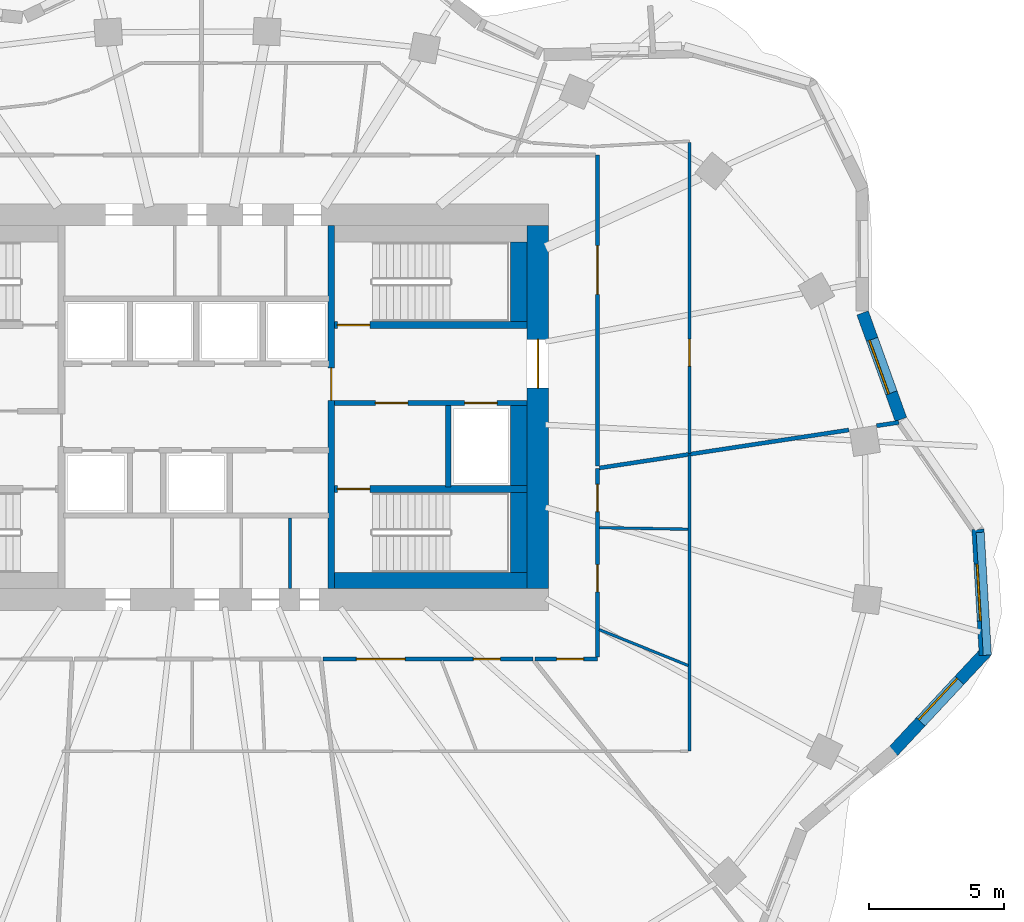
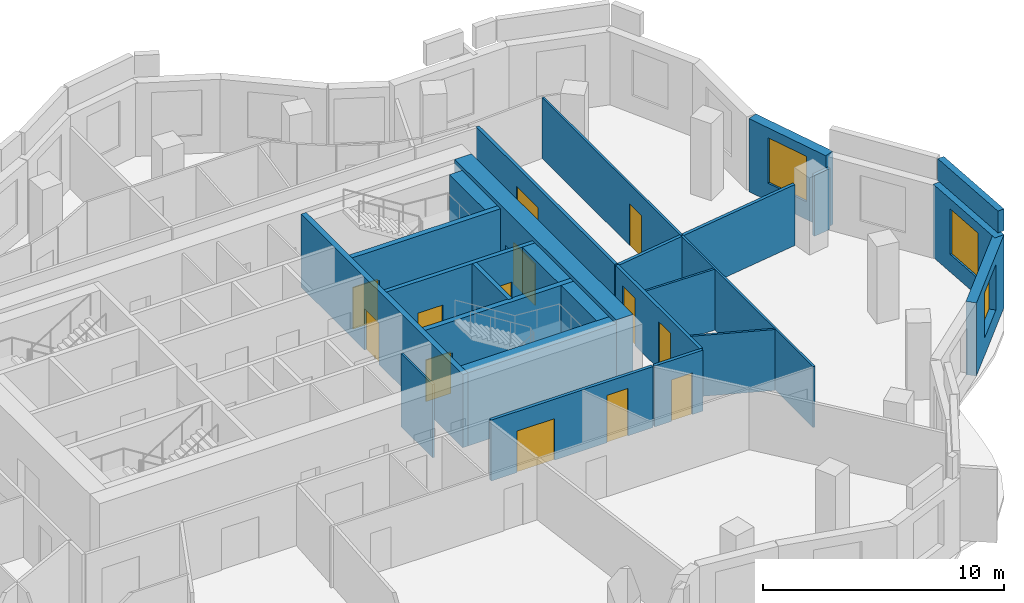
# One storey, part 8 of 13: 25 walls, 13 doors, 3 windows, 16 openings.
"""IFC4 building model written with IfcOpenShell, lengths in metres."""

import ifcopenshell
import ifcopenshell.guid

model = None  # the IFC model being written
_history = None  # IfcOwnerHistory: only IFC2X3 demands one
_inside = {}  # id of a spatial element -> (the spatial element, [elements in it])
_under = {}  # id of a project, library or spatial element -> (it, [spatial elements below it])
_declared = {}  # id of a project -> (the project, [libraries it declares])
_typed = {}  # id of a type object -> (the type object, [elements of that type])
_made_of = {}  # id of a material, layer set ... -> (it, [elements and type objects made of it])


def new_model(schema):
    """Start an empty IFC model of exactly this schema.

    Asked for "IFC4X3", IfcOpenShell would pick the latest addendum, in which some entities
    have other attributes; the version numbers below select the first issue.
    IFC2X3 requires an IfcOwnerHistory on every rooted entity: one is made here for all.
    """
    global model, _history
    if schema == "IFC4X3":
        model = ifcopenshell.file(schema_version=(4, 3, 0, 0))
    else:
        model = ifcopenshell.file(schema=schema)
    _inside.clear()
    _under.clear()
    _declared.clear()
    _typed.clear()
    _made_of.clear()
    _history = None
    if model.schema == "IFC2X3":
        org = make("IfcOrganization", Name="unknown")
        user = make(
            "IfcPersonAndOrganization",
            ThePerson=make("IfcPerson", FamilyName="unknown"),
            TheOrganization=org,
        )
        app = make(
            "IfcApplication",
            ApplicationDeveloper=org,
            Version="unknown",
            ApplicationFullName="unknown",
            ApplicationIdentifier="unknown",
        )
        _history = make(
            "IfcOwnerHistory",
            OwningUser=user,
            OwningApplication=app,
            ChangeAction="ADDED",
            CreationDate=0,
        )
    return model


def make(cls, **values):
    """One entity of the class cls with the attributes given. An attribute that is None is left unset."""
    return model.create_entity(
        cls, **{name: value for name, value in values.items() if value is not None}
    )


def rooted(cls, **values):
    """An entity with a GlobalId (a new one), such as an element, a storey or a relation."""
    return make(cls, GlobalId=ifcopenshell.guid.new(), OwnerHistory=_history, **values)


def si_unit(unit_type, name, prefix=None):
    """IfcSIUnit, for example si_unit("LENGTHUNIT", "METRE", prefix="MILLI")."""
    return make("IfcSIUnit", UnitType=unit_type, Prefix=prefix, Name=name)


def assignment(units):
    """IfcUnitAssignment: the units of a project."""
    return None if units is None else make("IfcUnitAssignment", Units=units)


def point(xyz):
    """IfcCartesianPoint."""
    return None if xyz is None else make("IfcCartesianPoint", Coordinates=xyz)


def direction(xyz):
    """IfcDirection."""
    return None if xyz is None else make("IfcDirection", DirectionRatios=xyz)


def frame(location, z_axis=None, x_axis=None):
    """IfcAxis2Placement3D, a coordinate frame: its origin and axes. An axis left out is left unset."""
    return make(
        "IfcAxis2Placement3D",
        Location=point(location),
        Axis=direction(z_axis),
        RefDirection=direction(x_axis),
    )


def frame_2d(location, x_axis=None):
    """IfcAxis2Placement2D, a coordinate frame in the plane: its origin and x axis."""
    return make(
        "IfcAxis2Placement2D", Location=point(location), RefDirection=direction(x_axis)
    )


def origin():
    """The frame at (0, 0, 0) with its axes left unset."""
    return frame((0.0, 0.0, 0.0))


def place(relative_to, where):
    """IfcLocalPlacement: puts the frame where relative to a parent placement (None: the world)."""
    return make(
        "IfcLocalPlacement", PlacementRelTo=relative_to, RelativePlacement=where
    )


def context(
    kind, dimensions, precision=None, world=None, true_north=None, identifier=None
):
    """IfcGeometricRepresentationContext, for example the 3D "Model" context."""
    return make(
        "IfcGeometricRepresentationContext",
        ContextIdentifier=identifier,
        ContextType=kind,
        CoordinateSpaceDimension=dimensions,
        Precision=precision,
        WorldCoordinateSystem=world,
        TrueNorth=true_north,
    )


def subcontext(parent, identifier, kind, view, scale=None):
    """IfcGeometricRepresentationSubContext, for example "Body" below "Model"."""
    return make(
        "IfcGeometricRepresentationSubContext",
        ContextIdentifier=identifier,
        ContextType=kind,
        ParentContext=parent,
        TargetScale=scale,
        TargetView=view,
    )


def project(units=None, contexts=None):
    """IfcProject with its units and contexts."""
    return rooted(
        "IfcProject",
        Name="project",
        RepresentationContexts=contexts,
        UnitsInContext=assignment(units),
    )


def spatial(cls, under=None, at=None, **own):
    """A site, building, storey or space (cls), placed at a placement, below another one or the project."""
    s = rooted(cls, ObjectPlacement=at, **own)
    if under is not None:
        _under.setdefault(under.id(), (under, []))[1].append(s)
    return s


def profile(cls, at=None, kind="AREA", **sizes):
    """A parametric profile (cls). Its sizes go by their IFC names, for example OverallWidth=200.0."""
    return make(cls, ProfileType=kind, Position=at, **sizes)


def rectangle(**sizes):
    """IfcRectangleProfileDef."""
    return profile("IfcRectangleProfileDef", **sizes)


def extrude(swept, where, along, depth):
    """IfcExtrudedAreaSolid: the profile swept, set in the frame where, extruded along a direction by depth."""
    return make(
        "IfcExtrudedAreaSolid",
        SweptArea=swept,
        Position=where,
        ExtrudedDirection=direction(along),
        Depth=depth,
    )


def shape(context_of_items, identifier, shape_type, items):
    """IfcShapeRepresentation: the items that make up one representation, for example the "Body"."""
    return make(
        "IfcShapeRepresentation",
        ContextOfItems=context_of_items,
        RepresentationIdentifier=identifier,
        RepresentationType=shape_type,
        Items=items,
    )


def material(Name=None, Category=None):
    """IfcMaterial."""
    return make("IfcMaterial", Name=Name, Category=Category)


def layer(
    of_material, thickness, ventilated=None, Name=None, Category=None, Priority=None
):
    """IfcMaterialLayer: one layer of a wall or slab, of a material (None: an air gap)."""
    return make(
        "IfcMaterialLayer",
        Material=of_material,
        LayerThickness=thickness,
        IsVentilated=ventilated,
        Name=Name,
        Category=Category,
        Priority=Priority,
    )


def layer_set(layers, Name=None):
    """IfcMaterialLayerSet."""
    return make("IfcMaterialLayerSet", MaterialLayers=layers, LayerSetName=Name)


def made_of(thing, what):
    """Note that an element or type object is made of a material, layer set ...; save() writes the relation."""
    if what is not None:
        _made_of.setdefault(what.id(), (what, []))[1].append(thing)
    return thing


def type_object(cls, material=None, **own):
    """A type object (cls), such as IfcWallType, which elements share."""
    return made_of(rooted(cls, **own), material)


def element(
    cls,
    number,
    at=None,
    inside=None,
    cuts=None,
    type_object=None,
    material=None,
    context=None,
    identifier="Body",
    shape_type=None,
    held_by="IfcProductDefinitionShape",
    body=None,
    shapes=None,
    **own,
):
    """One element of the class cls, such as IfcWall. Its Tag is "e" and its number.

    at: its placement. inside: the storey or other place that contains it. cuts: it is an
    opening in that element (IfcRelVoidsElement). A single representation is given by context,
    identifier, shape_type and body (its items); several are given by shapes. held_by: the class
    of the entity that holds the representations. save() writes the other relations.
    """
    e = rooted(cls, Tag="e%d" % number, ObjectPlacement=at, **own)
    if body is not None:
        shapes = [shape(context, identifier, shape_type, body)]
    if shapes is not None:
        e.Representation = make(held_by, Representations=shapes)
    if inside is not None:
        _inside.setdefault(inside.id(), (inside, []))[1].append(e)
    if cuts is not None:
        rooted(
            "IfcRelVoidsElement", RelatingBuildingElement=cuts, RelatedOpeningElement=e
        )
    if type_object is not None:
        _typed.setdefault(type_object.id(), (type_object, []))[1].append(e)
    return made_of(e, material)


def fill(opening, filler):
    """IfcRelFillsElement: the door or window that sits in an opening."""
    return rooted(
        "IfcRelFillsElement",
        RelatingOpeningElement=opening,
        RelatedBuildingElement=filler,
    )


def aggregate(whole, parts):
    """IfcRelAggregates: a whole, such as a stair, and the parts it consists of."""
    return rooted("IfcRelAggregates", RelatingObject=whole, RelatedObjects=parts)


def save(model, path):
    """Write the relations noted so far, then the file.

    IfcRelAggregates (storeys below a building ...), IfcRelContainedInSpatialStructure (elements
    in a storey), IfcRelDefinesByType, IfcRelAssociatesMaterial and IfcRelDeclares: one each for
    every whole, place, type object, material and project.
    """
    for whole, parts in _under.values():
        aggregate(whole, parts)
    for where, things in _inside.values():
        rooted(
            "IfcRelContainedInSpatialStructure",
            RelatedElements=things,
            RelatingStructure=where,
        )
    for kind, things in _typed.values():
        rooted("IfcRelDefinesByType", RelatedObjects=things, RelatingType=kind)
    for what, things in _made_of.values():
        rooted("IfcRelAssociatesMaterial", RelatedObjects=things, RelatingMaterial=what)
    for by, libraries in _declared.values():
        rooted("IfcRelDeclares", RelatingContext=by, RelatedDefinitions=libraries)
    model.write(path)


model = new_model("IFC4")

# Units and contexts
model_context = context("Model", 3, precision=1e-05, world=origin(), true_north=direction((0.0, 1.0)))
body_context = subcontext(model_context, "Body", "Model", "MODEL_VIEW")
ifc_project = project(units=[si_unit("LENGTHUNIT", "METRE"), si_unit("AREAUNIT", "SQUARE_METRE"), si_unit("VOLUMEUNIT", "CUBIC_METRE"), si_unit("PLANEANGLEUNIT", "RADIAN"), si_unit("MASSUNIT", "GRAM", prefix="KILO")], contexts=[model_context])

# Site, building, storey
site_placement = place(None, origin())
site = spatial("IfcSite", under=ifc_project, at=site_placement, CompositionType="ELEMENT")
building_placement = place(site_placement, origin())
building = spatial("IfcBuilding", under=site, at=building_placement, Name="Rubra Terraces Tower", CompositionType="ELEMENT")
storey_placement = place(building_placement, frame((0.0, 0.0, 252.60009765625)))
storey = spatial("IfcBuildingStorey", under=building, at=storey_placement, Name="L62", CompositionType="ELEMENT", Elevation=252.60009765625)

# Wall, opening, window
ifc_material_1 = material(Name="Brick masonry red-brown", Category="masonry")
ifc_layer_1 = layer(ifc_material_1, 0.449951171875)
ifc_layer_set_1 = layer_set([ifc_layer_1], Name="Brick masonry red-brown")
wall_type_1 = type_object("IfcWallType", Name="Brick facade wall 450", PredefinedType="SOLIDWALL", material=ifc_layer_set_1)
wall_1_placement = place(storey_placement, frame((25.99951171875, 4.047119140625, 0.0), z_axis=(0.0, 0.0, 1.0), x_axis=(-0.338924456066, 0.940813591037, 0.0)))
wall_1 = element("IfcWall", 1, at=wall_1_placement, inside=storey, type_object=wall_type_1, Name="Facade wall L62 bay 2", PredefinedType="SOLIDWALL", context=body_context, shape_type="SweptSolid", body=[
    extrude(rectangle(XDim=4.175048828125, YDim=0.449951171875, at=frame_2d((2.08740234375, 0.0))), origin(), (0.0, 0.0, 1.0), 3.699951171875),
])
opening_1_placement = place(wall_1_placement, frame((1.03759765625, 0.0, 0.89990234375)))
opening_1 = element("IfcOpeningElement", 2, at=opening_1_placement, cuts=wall_1, Name="Opening W1B", PredefinedType="OPENING", context=body_context, shape_type="SweptSolid", body=[
    extrude(rectangle(XDim=2.10009765625, YDim=2.300048828125, at=frame_2d((1.050048828125, 1.14990234375))), frame((0.0, 0.23486328125, 0.0), z_axis=(0.0, -1.0, 0.0), x_axis=(1.0, 0.0, 0.0)), (0.0, 0.0, 1.0), 0.469970703125),
])
ifc_material_2 = material(Name="Clear glass in aluminium frame", Category="aluminium")
window_type = type_object("IfcWindowType", Name="Fixed deep-set window tall storey 2100 x 2300", PartitioningType="SINGLE_PANEL", PredefinedType="WINDOW", material=ifc_material_2)
window_1_placement = place(opening_1_placement, origin())
window_1 = element("IfcWindow", 3, at=window_1_placement, inside=storey, type_object=window_type, Name="Window L62 bay 2", OverallHeight=2.300048828125, OverallWidth=2.10009765625, PartitioningType="SINGLE_PANEL", PredefinedType="WINDOW", context=body_context, shape_type="SweptSolid", body=[
    extrude(rectangle(XDim=2.10009765625, YDim=2.300048828125, at=frame_2d((1.050048828125, 1.14990234375))), frame((0.0, 0.135009765625, 0.0), z_axis=(0.0, -1.0, 0.0), x_axis=(1.0, 0.0, 0.0)), (0.0, 0.0, 1.0), 0.06005859375),
])
fill(opening_1, window_1)

wall_2_placement = place(storey_placement, frame((25.716796875, -8.20068359375, 0.0), z_axis=(0.0, 0.0, 1.0), x_axis=(0.681990073025, 0.731361429319, 0.0)))
wall_2 = element("IfcWall", 4, at=wall_2_placement, inside=storey, type_object=wall_type_1, Name="Facade wall L62 bay 39", PredefinedType="SOLIDWALL", context=body_context, shape_type="SweptSolid", body=[
    extrude(rectangle(XDim=5.063720703125, YDim=0.449951171875, at=frame_2d((2.53173828125, 0.0))), origin(), (0.0, 0.0, 1.0), 3.699951171875),
])
opening_2_placement = place(wall_2_placement, frame((1.481689453125, 0.0, 0.89990234375)))
opening_2 = element("IfcOpeningElement", 5, at=opening_2_placement, cuts=wall_2, Name="Opening W1B", PredefinedType="OPENING", context=body_context, shape_type="SweptSolid", body=[
    extrude(rectangle(XDim=2.10009765625, YDim=2.300048828125, at=frame_2d((1.050048828125, 1.14990234375))), frame((0.0, 0.23486328125, 0.0), z_axis=(0.0, -1.0, 0.0), x_axis=(1.0, 0.0, 0.0)), (0.0, 0.0, 1.0), 0.469970703125),
])
window_2_placement = place(opening_2_placement, origin())
window_2 = element("IfcWindow", 6, at=window_2_placement, inside=storey, type_object=window_type, Name="Window L62 bay 39", OverallHeight=2.300048828125, OverallWidth=2.10009765625, PartitioningType="SINGLE_PANEL", PredefinedType="WINDOW", context=body_context, shape_type="SweptSolid", body=[
    extrude(rectangle(XDim=2.10009765625, YDim=2.300048828125, at=frame_2d((1.050048828125, 1.14990234375))), frame((0.0, 0.135009765625, 0.0), z_axis=(0.0, -1.0, 0.0), x_axis=(1.0, 0.0, 0.0)), (0.0, 0.0, 1.0), 0.06005859375),
])
fill(opening_2, window_2)

wall_3_placement = place(storey_placement, frame((29.11328125, -4.66015625, 0.0), z_axis=(0.0, 0.0, 1.0), x_axis=(-0.058217785859, 0.998303906338, 0.0)))
wall_3 = element("IfcWall", 7, at=wall_3_placement, inside=storey, type_object=wall_type_1, Name="Facade wall L62 bay 40", PredefinedType="SOLIDWALL", context=body_context, shape_type="SweptSolid", body=[
    extrude(rectangle(XDim=4.65478515625, YDim=0.449951171875, at=frame_2d((2.327392578125, 0.0))), origin(), (0.0, 0.0, 1.0), 3.699951171875),
])
opening_3_placement = place(wall_3_placement, frame((1.27734375, 0.0, 0.89990234375)))
opening_3 = element("IfcOpeningElement", 8, at=opening_3_placement, cuts=wall_3, Name="Opening W1B", PredefinedType="OPENING", context=body_context, shape_type="SweptSolid", body=[
    extrude(rectangle(XDim=2.10009765625, YDim=2.300048828125, at=frame_2d((1.050048828125, 1.14990234375))), frame((0.0, 0.23486328125, 0.0), z_axis=(0.0, -1.0, 0.0), x_axis=(1.0, 0.0, 0.0)), (0.0, 0.0, 1.0), 0.469970703125),
])
window_3_placement = place(opening_3_placement, origin())
window_3 = element("IfcWindow", 9, at=window_3_placement, inside=storey, type_object=window_type, Name="Window L62 bay 40", OverallHeight=2.300048828125, OverallWidth=2.10009765625, PartitioningType="SINGLE_PANEL", PredefinedType="WINDOW", context=body_context, shape_type="SweptSolid", body=[
    extrude(rectangle(XDim=2.10009765625, YDim=2.300048828125, at=frame_2d((1.050048828125, 1.14990234375))), frame((0.0, 0.135009765625, 0.0), z_axis=(0.0, -1.0, 0.0), x_axis=(1.0, 0.0, 0.0)), (0.0, 0.0, 1.0), 0.06005859375),
])
fill(opening_3, window_3)

# Wall
ifc_layer_2 = layer(ifc_material_1, 0.300048828125)
ifc_layer_set_2 = layer_set([ifc_layer_2], Name="Brick masonry red-brown")
wall_type_2 = type_object("IfcWallType", Name="Brick parapet 300", PredefinedType="PARAPET", material=ifc_layer_set_2)
wall_4_placement = place(storey_placement, frame((29.188232421875, -4.65576171875, 3.89990234375), z_axis=(0.0, 0.0, 1.0), x_axis=(-0.058230319325, 0.998303175349, 0.0)))
element("IfcWall", 10, at=wall_4_placement, inside=storey, type_object=wall_type_2, Name="Parapet L62 bay 40", PredefinedType="PARAPET", context=body_context, shape_type="SweptSolid", body=[
    extrude(rectangle(XDim=4.540771484375, YDim=0.300048828125, at=frame_2d((2.2705078125, 0.0))), origin(), (0.0, 0.0, 1.0), 1.10009765625),
])

# Wall, opening, door
ifc_material_3 = material(Name="Concrete C50", Category="concrete")
ifc_layer_3 = layer(ifc_material_3, 0.800048828125)
ifc_layer_set_3 = layer_set([ifc_layer_3], Name="Concrete C50")
wall_type_3 = type_object("IfcWallType", Name="CORE WALL 800 C50", PredefinedType="SHEAR", material=ifc_layer_set_3)
wall_5_placement = place(storey_placement, frame((12.60009765625, -2.199951171875, 0.0), z_axis=(0.0, 0.0, 1.0), x_axis=(0.0, 1.0, 0.0)))
wall_5 = element("IfcWall", 11, at=wall_5_placement, inside=storey, type_object=wall_type_3, Name="CORE WALL E L62", PredefinedType="SHEAR", context=body_context, shape_type="SweptSolid", body=[
    extrude(rectangle(XDim=13.39990234375, YDim=0.800048828125, at=frame_2d((6.699951171875, 0.0))), origin(), (0.0, 0.0, 1.0), 3.89990234375),
])
opening_4_placement = place(wall_5_placement, frame((7.39990234375, 0.0, 0.0)))
opening_4 = element("IfcOpeningElement", 12, at=opening_4_placement, cuts=wall_5, Name="Opening L62.C02", PredefinedType="OPENING", context=body_context, shape_type="SweptSolid", body=[
    extrude(rectangle(XDim=1.800048828125, YDim=2.10009765625, at=frame_2d((0.89990234375, 1.050048828125))), frame((0.0, 0.409912109375, 0.0), z_axis=(0.0, -1.0, 0.0), x_axis=(1.0, 0.0, 0.0)), (0.0, 0.0, 1.0), 0.820068359375),
])
ifc_material_4 = material(Name="Painted steel", Category="steel")
door_type_1 = type_object("IfcDoorType", Name="Fire door 1800x2100 double", OperationType="NOTDEFINED", PredefinedType="DOOR", material=ifc_material_4)
door_1_placement = place(opening_4_placement, origin())
door_1 = element("IfcDoor", 13, at=door_1_placement, inside=storey, type_object=door_type_1, Name="Core entrance door FF2", OperationType="DOUBLE_DOOR_SINGLE_SWING", OverallHeight=2.10009765625, OverallWidth=1.800048828125, PredefinedType="DOOR", context=body_context, shape_type="SweptSolid", body=[
    extrude(rectangle(XDim=1.800048828125, YDim=2.10009765625, at=frame_2d((0.89990234375, 1.050048828125))), frame((0.0, 0.02490234375, 0.0), z_axis=(0.0, -1.0, 0.0), x_axis=(1.0, 0.0, 0.0)), (0.0, 0.0, 1.0), 0.050048828125),
])
fill(opening_4, door_1)

# Wall, openings, doors
ifc_material_5 = material(Name="Plasterboard on steel stud, mineral wool infill", Category="steel")
ifc_layer_4 = layer(ifc_material_5, 0.14990234375)
ifc_layer_set_4 = layer_set([ifc_layer_4], Name="Plasterboard on steel stud, mineral wool infill")
wall_type_4 = type_object("IfcWallType", Name="CORRIDOR PARTITION 150", PredefinedType="PARTITIONING", material=ifc_layer_set_4)
wall_6_placement = place(storey_placement, frame((4.66650390625, -4.800048828125, 0.0), z_axis=(0.0, 0.0, 1.0), x_axis=(1.0, 0.0, 0.0)))
wall_6 = element("IfcWall", 14, at=wall_6_placement, inside=storey, type_object=wall_type_4, Name="PARTITION", PredefinedType="PARTITIONING", context=body_context, shape_type="SweptSolid", body=[
    extrude(rectangle(XDim=7.75, YDim=0.14990234375, at=frame_2d((3.875, 0.0))), origin(), (0.0, 0.0, 1.0), 3.083984375),
])
opening_5_placement = place(wall_6_placement, frame((1.239013671875, 0.0, 0.0)))
opening_5 = element("IfcOpeningElement", 15, at=opening_5_placement, cuts=wall_6, Name="Opening 62-123", PredefinedType="OPENING", context=body_context, shape_type="SweptSolid", body=[
    extrude(rectangle(XDim=1.800048828125, YDim=2.10009765625, at=frame_2d((0.89990234375, 1.050048828125))), frame((0.0, 0.0849609375, 0.0), z_axis=(0.0, -1.0, 0.0), x_axis=(1.0, 0.0, 0.0)), (0.0, 0.0, 1.0), 0.169921875),
])
opening_6_placement = place(wall_6_placement, frame((5.551025390625, 0.0, 0.0)))
opening_6 = element("IfcOpeningElement", 16, at=opening_6_placement, cuts=wall_6, Name="Opening 62-125", PredefinedType="OPENING", context=body_context, shape_type="SweptSolid", body=[
    extrude(rectangle(XDim=1.0, YDim=2.39990234375, at=frame_2d((0.5, 1.199951171875))), frame((0.0, 0.0849609375, 0.0), z_axis=(0.0, -1.0, 0.0), x_axis=(1.0, 0.0, 0.0)), (0.0, 0.0, 1.0), 0.169921875),
])
ifc_material_6 = material(Name="Glazed aluminium meeting door leaf", Category="aluminium")
door_type_2 = type_object("IfcDoorType", Name="MEETING ROOM GLAZED DOOR 1000 X 2400", OperationType="SINGLE_SWING_LEFT", PredefinedType="DOOR", material=ifc_material_6)
door_2_placement = place(opening_6_placement, origin())
door_2 = element("IfcDoor", 17, at=door_2_placement, inside=storey, type_object=door_type_2, Name="DOOR 62-125", OperationType="SINGLE_SWING_RIGHT", OverallHeight=2.39990234375, OverallWidth=1.0, PredefinedType="DOOR", context=body_context, shape_type="SweptSolid", body=[
    extrude(rectangle(XDim=1.0, YDim=2.39990234375, at=frame_2d((0.5, 1.199951171875))), frame((0.0, 0.02490234375, 0.0), z_axis=(0.0, -1.0, 0.0), x_axis=(1.0, 0.0, 0.0)), (0.0, 0.0, 1.0), 0.050048828125),
])
fill(opening_6, door_2)
ifc_material_7 = material(Name="Painted timber door leaf, double", Category="wood")
door_type_3 = type_object("IfcDoorType", Name="ROOM DOUBLE DOOR 1800 X 2100", OperationType="DOUBLE_DOOR_SINGLE_SWING", PredefinedType="DOOR", material=ifc_material_7)
door_3_placement = place(opening_5_placement, origin())
door_3 = element("IfcDoor", 18, at=door_3_placement, inside=storey, type_object=door_type_3, Name="DOOR 62-123", OperationType="DOUBLE_DOOR_SINGLE_SWING", OverallHeight=2.10009765625, OverallWidth=1.800048828125, PredefinedType="DOOR", context=body_context, shape_type="SweptSolid", body=[
    extrude(rectangle(XDim=1.800048828125, YDim=2.10009765625, at=frame_2d((0.89990234375, 1.050048828125))), frame((0.0, 0.02490234375, 0.0), z_axis=(0.0, -1.0, 0.0), x_axis=(1.0, 0.0, 0.0)), (0.0, 0.0, 1.0), 0.050048828125),
])
fill(opening_5, door_3)

# Wall, opening, door
wall_7_placement = place(storey_placement, frame((12.491455078125, -4.800048828125, 0.0), z_axis=(0.0, 0.0, 1.0), x_axis=(1.0, 0.0, 0.0)))
wall_7 = element("IfcWall", 19, at=wall_7_placement, inside=storey, type_object=wall_type_4, Name="PARTITION", PredefinedType="PARTITIONING", context=body_context, shape_type="SweptSolid", body=[
    extrude(rectangle(XDim=2.30859375, YDim=0.14990234375, at=frame_2d((1.154296875, 0.0))), origin(), (0.0, 0.0, 1.0), 3.083984375),
])
opening_7_placement = place(wall_7_placement, frame((0.800048828125, 0.0, 0.0)))
opening_7 = element("IfcOpeningElement", 20, at=opening_7_placement, cuts=wall_7, Name="Opening 62-126", PredefinedType="OPENING", context=body_context, shape_type="SweptSolid", body=[
    extrude(rectangle(XDim=1.0, YDim=2.10009765625, at=frame_2d((0.5, 1.050048828125))), frame((0.0, 0.0849609375, 0.0), z_axis=(0.0, -1.0, 0.0), x_axis=(1.0, 0.0, 0.0)), (0.0, 0.0, 1.0), 0.169921875),
])
ifc_material_8 = material(Name="Painted timber door leaf", Category="wood")
door_type_4 = type_object("IfcDoorType", Name="ROOM DOOR 1000 X 2100", OperationType="SINGLE_SWING_LEFT", PredefinedType="DOOR", material=ifc_material_8)
door_4_placement = place(opening_7_placement, origin())
door_4 = element("IfcDoor", 21, at=door_4_placement, inside=storey, type_object=door_type_4, Name="DOOR 62-126", OperationType="SINGLE_SWING_RIGHT", OverallHeight=2.10009765625, OverallWidth=1.0, PredefinedType="DOOR", context=body_context, shape_type="SweptSolid", body=[
    extrude(rectangle(XDim=1.0, YDim=2.10009765625, at=frame_2d((0.5, 1.050048828125))), frame((0.0, 0.02490234375, 0.0), z_axis=(0.0, -1.0, 0.0), x_axis=(1.0, 0.0, 0.0)), (0.0, 0.0, 1.0), 0.050048828125),
])
fill(opening_7, door_4)

# Wall, openings, doors
wall_8_placement = place(storey_placement, frame((14.800048828125, -4.72509765625, 0.0), z_axis=(0.0, 0.0, 1.0), x_axis=(0.0, 1.0, 0.0)))
wall_8 = element("IfcWall", 22, at=wall_8_placement, inside=storey, type_object=wall_type_4, Name="PARTITION", PredefinedType="PARTITIONING", context=body_context, shape_type="SweptSolid", body=[
    extrude(rectangle(XDim=6.967041015625, YDim=0.14990234375, at=frame_2d((3.4833984375, 0.0))), origin(), (0.0, 0.0, 1.0), 3.083984375),
])
opening_8_placement = place(wall_8_placement, frame((2.406982421875, 0.0, 0.0)))
opening_8 = element("IfcOpeningElement", 23, at=opening_8_placement, cuts=wall_8, Name="Opening 62-128", PredefinedType="OPENING", context=body_context, shape_type="SweptSolid", body=[
    extrude(rectangle(XDim=1.0, YDim=2.39990234375, at=frame_2d((0.5, 1.199951171875))), frame((0.0, 0.0849609375, 0.0), z_axis=(0.0, -1.0, 0.0), x_axis=(1.0, 0.0, 0.0)), (0.0, 0.0, 1.0), 0.169921875),
])
opening_9_placement = place(wall_8_placement, frame((5.37109375, 0.0, 0.0)))
opening_9 = element("IfcOpeningElement", 24, at=opening_9_placement, cuts=wall_8, Name="Opening 62-129", PredefinedType="OPENING", context=body_context, shape_type="SweptSolid", body=[
    extrude(rectangle(XDim=1.0, YDim=2.39990234375, at=frame_2d((0.5, 1.199951171875))), frame((0.0, 0.0849609375, 0.0), z_axis=(0.0, -1.0, 0.0), x_axis=(1.0, 0.0, 0.0)), (0.0, 0.0, 1.0), 0.169921875),
])
door_5_placement = place(opening_8_placement, origin())
door_5 = element("IfcDoor", 25, at=door_5_placement, inside=storey, type_object=door_type_2, Name="DOOR 62-128", OperationType="SINGLE_SWING_RIGHT", OverallHeight=2.39990234375, OverallWidth=1.0, PredefinedType="DOOR", context=body_context, shape_type="SweptSolid", body=[
    extrude(rectangle(XDim=1.0, YDim=2.39990234375, at=frame_2d((0.5, 1.199951171875))), frame((0.0, 0.02490234375, 0.0), z_axis=(0.0, -1.0, 0.0), x_axis=(1.0, 0.0, 0.0)), (0.0, 0.0, 1.0), 0.050048828125),
])
fill(opening_8, door_5)
door_6_placement = place(opening_9_placement, origin())
door_6 = element("IfcDoor", 26, at=door_6_placement, inside=storey, type_object=door_type_2, Name="DOOR 62-129", OperationType="SINGLE_SWING_RIGHT", OverallHeight=2.39990234375, OverallWidth=1.0, PredefinedType="DOOR", context=body_context, shape_type="SweptSolid", body=[
    extrude(rectangle(XDim=1.0, YDim=2.39990234375, at=frame_2d((0.5, 1.199951171875))), frame((0.0, 0.02490234375, 0.0), z_axis=(0.0, -1.0, 0.0), x_axis=(1.0, 0.0, 0.0)), (0.0, 0.0, 1.0), 0.050048828125),
])
fill(opening_9, door_6)

# Wall, opening, door
wall_9_placement = place(storey_placement, frame((14.800048828125, 2.31689453125, 0.0), z_axis=(0.0, 0.0, 1.0), x_axis=(0.0, 1.0, 0.0)))
wall_9 = element("IfcWall", 27, at=wall_9_placement, inside=storey, type_object=wall_type_4, Name="PARTITION", PredefinedType="PARTITIONING", context=body_context, shape_type="SweptSolid", body=[
    extrude(rectangle(XDim=11.483154296875, YDim=0.14990234375, at=frame_2d((5.74169921875, 0.0))), origin(), (0.0, 0.0, 1.0), 3.083984375),
])
opening_10_placement = place(wall_9_placement, frame((6.341064453125, 0.0, 0.0)))
opening_10 = element("IfcOpeningElement", 28, at=opening_10_placement, cuts=wall_9, Name="Opening 62-130", PredefinedType="OPENING", context=body_context, shape_type="SweptSolid", body=[
    extrude(rectangle(XDim=1.800048828125, YDim=2.10009765625, at=frame_2d((0.89990234375, 1.050048828125))), frame((0.0, 0.0849609375, 0.0), z_axis=(0.0, -1.0, 0.0), x_axis=(1.0, 0.0, 0.0)), (0.0, 0.0, 1.0), 0.169921875),
])
door_7_placement = place(opening_10_placement, origin())
door_7 = element("IfcDoor", 29, at=door_7_placement, inside=storey, type_object=door_type_3, Name="DOOR 62-130", OperationType="DOUBLE_DOOR_SINGLE_SWING", OverallHeight=2.10009765625, OverallWidth=1.800048828125, PredefinedType="DOOR", context=body_context, shape_type="SweptSolid", body=[
    extrude(rectangle(XDim=1.800048828125, YDim=2.10009765625, at=frame_2d((0.89990234375, 1.050048828125))), frame((0.0, 0.02490234375, 0.0), z_axis=(0.0, -1.0, 0.0), x_axis=(1.0, 0.0, 0.0)), (0.0, 0.0, 1.0), 0.050048828125),
])
fill(opening_10, door_7)

# Walls
ifc_material_9 = material(Name="Concrete C40", Category="concrete")
ifc_layer_5 = layer(ifc_material_9, 0.60009765625)
ifc_layer_set_5 = layer_set([ifc_layer_5], Name="Concrete C40")
wall_type_5 = type_object("IfcWallType", Name="Core lining wall 600 concrete", PredefinedType="SOLIDWALL", material=ifc_layer_set_5)
wall_10_placement = place(storey_placement, frame((11.89990234375, 10.60009765625, 0.0), z_axis=(0.0, 0.0, 1.0), x_axis=(0.0, -1.0, 0.0)))
element("IfcWall", 30, at=wall_10_placement, inside=storey, type_object=wall_type_5, Name="CORE LINING WALL L62", PredefinedType="SOLIDWALL", context=body_context, shape_type="SweptSolid", body=[
    extrude(rectangle(XDim=2.9501953125, YDim=0.60009765625, at=frame_2d((1.47509765625, 0.0))), origin(), (0.0, 0.0, 1.0), 3.699951171875),
])
wall_11_placement = place(storey_placement, frame((11.89990234375, 4.550048828125, 0.0), z_axis=(0.0, 0.0, 1.0), x_axis=(0.0, -1.0, 0.0)))
element("IfcWall", 31, at=wall_11_placement, inside=storey, type_object=wall_type_5, Name="CORE LINING WALL L62", PredefinedType="SOLIDWALL", context=body_context, shape_type="SweptSolid", body=[
    extrude(rectangle(XDim=3.0, YDim=0.60009765625, at=frame_2d((1.5, 0.0))), origin(), (0.0, 0.0, 1.0), 3.699951171875),
])
wall_12_placement = place(storey_placement, frame((11.89990234375, 1.35009765625, 0.0), z_axis=(0.0, 0.0, 1.0), x_axis=(0.0, -1.0, 0.0)))
element("IfcWall", 32, at=wall_12_placement, inside=storey, type_object=wall_type_5, Name="CORE LINING WALL L62", PredefinedType="SOLIDWALL", context=body_context, shape_type="SweptSolid", body=[
    extrude(rectangle(XDim=2.9501953125, YDim=0.60009765625, at=frame_2d((1.47509765625, 0.0))), origin(), (0.0, 0.0, 1.0), 3.699951171875),
])
wall_13_placement = place(storey_placement, frame((12.199951171875, -1.89990234375, 0.0), z_axis=(0.0, 0.0, 1.0), x_axis=(-1.0, 0.0, 0.0)))
element("IfcWall", 33, at=wall_13_placement, inside=storey, type_object=wall_type_5, Name="CORE LINING WALL L62", PredefinedType="SOLIDWALL", context=body_context, shape_type="SweptSolid", body=[
    extrude(rectangle(XDim=7.099853515625, YDim=0.60009765625, at=frame_2d((3.5498046875, 0.0))), origin(), (0.0, 0.0, 1.0), 3.699951171875),
])

# Wall, openings, doors
ifc_material_10 = material(Name="Concrete C30", Category="concrete")
ifc_layer_6 = layer(ifc_material_10, 0.199951171875)
ifc_layer_set_6 = layer_set([ifc_layer_6], Name="Concrete C30")
wall_type_6 = type_object("IfcWallType", Name="Core wall 200 concrete", PredefinedType="SOLIDWALL", material=ifc_layer_set_6)
wall_14_placement = place(storey_placement, frame((12.199951171875, 4.64990234375, 0.0), z_axis=(0.0, 0.0, 1.0), x_axis=(-1.0, 0.0, 0.0)))
wall_14 = element("IfcWall", 34, at=wall_14_placement, inside=storey, type_object=wall_type_6, Name="STAIR WALL L62", PredefinedType="SOLIDWALL", context=body_context, shape_type="SweptSolid", body=[
    extrude(rectangle(XDim=7.099853515625, YDim=0.199951171875, at=frame_2d((3.5498046875, 0.0))), origin(), (0.0, 0.0, 1.0), 3.699951171875),
])
opening_11_placement = place(wall_14_placement, frame((4.39990234375, 0.0, 0.0)))
opening_11 = element("IfcOpeningElement", 35, at=opening_11_placement, cuts=wall_14, Name="Opening L62.C06", PredefinedType="OPENING", context=body_context, shape_type="SweptSolid", body=[
    extrude(rectangle(XDim=1.199951171875, YDim=2.10009765625, at=frame_2d((0.60009765625, 1.050048828125))), frame((0.0, 0.10986328125, 0.0), z_axis=(0.0, -1.0, 0.0), x_axis=(1.0, 0.0, 0.0)), (0.0, 0.0, 1.0), 0.219970703125),
])
opening_12_placement = place(wall_14_placement, frame((1.10009765625, 0.0, 0.0)))
opening_12 = element("IfcOpeningElement", 36, at=opening_12_placement, cuts=wall_14, Name="Opening L62.C12", PredefinedType="OPENING", context=body_context, shape_type="SweptSolid", body=[
    extrude(rectangle(XDim=1.199951171875, YDim=2.10009765625, at=frame_2d((0.60009765625, 1.050048828125))), frame((0.0, 0.10986328125, 0.0), z_axis=(0.0, -1.0, 0.0), x_axis=(1.0, 0.0, 0.0)), (0.0, 0.0, 1.0), 0.219970703125),
])
door_type_5 = type_object("IfcDoorType", Name="Fire door 1200x2100 single", OperationType="NOTDEFINED", PredefinedType="DOOR", material=ifc_material_4)
door_8_placement = place(opening_11_placement, origin())
door_8 = element("IfcDoor", 37, at=door_8_placement, inside=storey, type_object=door_type_5, Name="Stair vestibule door S4", OperationType="SINGLE_SWING_RIGHT", OverallHeight=2.10009765625, OverallWidth=1.199951171875, PredefinedType="DOOR", context=body_context, shape_type="SweptSolid", body=[
    extrude(rectangle(XDim=1.199951171875, YDim=2.10009765625, at=frame_2d((0.60009765625, 1.050048828125))), frame((0.0, 0.02490234375, 0.0), z_axis=(0.0, -1.0, 0.0), x_axis=(1.0, 0.0, 0.0)), (0.0, 0.0, 1.0), 0.050048828125),
])
fill(opening_11, door_8)
ifc_material_11 = material(Name="Stainless steel", Category="steel")
door_type_6 = type_object("IfcDoorType", Name="Lift landing door 1200x2100", OperationType="NOTDEFINED", PredefinedType="DOOR", material=ifc_material_11)
door_9_placement = place(opening_12_placement, origin())
door_9 = element("IfcDoor", 38, at=door_9_placement, inside=storey, type_object=door_type_6, Name="Landing door FF2", OperationType="SLIDING_TO_RIGHT", OverallHeight=2.10009765625, OverallWidth=1.199951171875, PredefinedType="DOOR", context=body_context, shape_type="SweptSolid", body=[
    extrude(rectangle(XDim=1.199951171875, YDim=2.10009765625, at=frame_2d((0.60009765625, 1.050048828125))), frame((0.0, 0.02490234375, 0.0), z_axis=(0.0, -1.0, 0.0), x_axis=(1.0, 0.0, 0.0)), (0.0, 0.0, 1.0), 0.050048828125),
])
fill(opening_12, door_9)

# Walls
wall_15_placement = place(storey_placement, frame((9.300048828125, 4.550048828125, 0.0), z_axis=(0.0, 0.0, 1.0), x_axis=(0.0, -1.0, 0.0)))
element("IfcWall", 39, at=wall_15_placement, inside=storey, type_object=wall_type_6, Name="STAIR WALL L62", PredefinedType="SOLIDWALL", context=body_context, shape_type="SweptSolid", body=[
    extrude(rectangle(XDim=3.0, YDim=0.199951171875, at=frame_2d((1.5, 0.0))), origin(), (0.0, 0.0, 1.0), 3.699951171875),
])
ifc_material_12 = material(Name="Plasterboard on steel stud", Category="steel")
ifc_layer_7 = layer(ifc_material_12, 0.10009765625)
ifc_layer_set_7 = layer_set([ifc_layer_7], Name="Plasterboard on steel stud")
wall_type_7 = type_object("IfcWallType", Name="ROOM PARTITION 100", PredefinedType="PARTITIONING", material=ifc_layer_set_7)
wall_16_placement = place(storey_placement, frame((18.199951171875, 2.739501953125, 0.0), z_axis=(0.0, 0.0, 1.0), x_axis=(0.0, -1.0, 0.0)))
element("IfcWall", 40, at=wall_16_placement, inside=storey, type_object=wall_type_7, Name="PARTITION", PredefinedType="PARTITIONING", context=body_context, shape_type="SweptSolid", body=[
    extrude(rectangle(XDim=10.939453125, YDim=0.10009765625, at=frame_2d((5.4697265625, 0.0))), origin(), (0.0, 0.0, 1.0), 3.083984375),
])
wall_17_placement = place(storey_placement, frame((14.86962890625, -3.71484375, 0.0), z_axis=(0.0, 0.0, 1.0), x_axis=(0.927460371053, -0.37392146251, 0.0)))
element("IfcWall", 41, at=wall_17_placement, inside=storey, type_object=wall_type_7, Name="PARTITION", PredefinedType="PARTITIONING", context=body_context, shape_type="SweptSolid", body=[
    extrude(rectangle(XDim=3.540771484375, YDim=0.10009765625, at=frame_2d((1.7705078125, 0.0))), origin(), (0.0, 0.0, 1.0), 3.083984375),
])
wall_18_placement = place(storey_placement, frame((14.875, 0.04931640625, 0.0), z_axis=(0.0, 0.0, 1.0), x_axis=(0.999854310099, -0.017069228941, 0.0)))
element("IfcWall", 42, at=wall_18_placement, inside=storey, type_object=wall_type_7, Name="PARTITION", PredefinedType="PARTITIONING", context=body_context, shape_type="SweptSolid", body=[
    extrude(rectangle(XDim=3.275390625, YDim=0.10009765625, at=frame_2d((1.6376953125, 0.0))), origin(), (0.0, 0.0, 1.0), 3.083984375),
])

# Wall, opening, door
wall_19_placement = place(storey_placement, frame((18.199951171875, 14.261962890625, 0.0), z_axis=(0.0, 0.0, 1.0), x_axis=(0.0, -1.0, 0.0)))
wall_19 = element("IfcWall", 43, at=wall_19_placement, inside=storey, type_object=wall_type_7, Name="PARTITION", PredefinedType="PARTITIONING", context=body_context, shape_type="SweptSolid", body=[
    extrude(rectangle(XDim=11.482177734375, YDim=0.10009765625, at=frame_2d((5.7412109375, 0.0))), origin(), (0.0, 0.0, 1.0), 3.083984375),
])
opening_13_placement = place(wall_19_placement, frame((7.25, 0.0, 0.0)))
opening_13 = element("IfcOpeningElement", 44, at=opening_13_placement, cuts=wall_19, Name="Opening 62-133", PredefinedType="OPENING", context=body_context, shape_type="SweptSolid", body=[
    extrude(rectangle(XDim=1.0, YDim=2.10009765625, at=frame_2d((0.5, 1.050048828125))), frame((0.0, 0.06005859375, 0.0), z_axis=(0.0, -1.0, 0.0), x_axis=(1.0, 0.0, 0.0)), (0.0, 0.0, 1.0), 0.1201171875),
])
door_10_placement = place(opening_13_placement, origin())
door_10 = element("IfcDoor", 45, at=door_10_placement, inside=storey, type_object=door_type_4, Name="DOOR 62-133", OperationType="SINGLE_SWING_LEFT", OverallHeight=2.10009765625, OverallWidth=1.0, PredefinedType="DOOR", context=body_context, shape_type="SweptSolid", body=[
    extrude(rectangle(XDim=1.0, YDim=2.10009765625, at=frame_2d((0.5, 1.050048828125))), frame((0.0, 0.02490234375, 0.0), z_axis=(0.0, -1.0, 0.0), x_axis=(1.0, 0.0, 0.0)), (0.0, 0.0, 1.0), 0.050048828125),
])
fill(opening_13, door_10)

# Walls
ifc_layer_8 = layer(ifc_material_12, 0.14990234375)
ifc_layer_set_8 = layer_set([ifc_layer_8], Name="Plasterboard on steel stud")
wall_type_8 = type_object("IfcWallType", Name="ROOM PARTITION 150", PredefinedType="PARTITIONING", material=ifc_layer_set_8)
wall_20_placement = place(storey_placement, frame((25.919921875, 3.934814453125, 0.0), z_axis=(0.0, 0.0, 1.0), x_axis=(-0.988606403982, -0.150523679218, 0.0)))
element("IfcWall", 46, at=wall_20_placement, inside=storey, type_object=wall_type_8, Name="PARTITION", PredefinedType="PARTITIONING", context=body_context, shape_type="SweptSolid", body=[
    extrude(rectangle(XDim=0.82568359375, YDim=0.14990234375, at=frame_2d((0.412841796875, 0.0))), origin(), (0.0, 0.0, 1.0), 3.083984375),
])
wall_21_placement = place(storey_placement, frame((24.07568359375, 3.654052734375, 0.0), z_axis=(0.0, 0.0, 1.0), x_axis=(-0.988612730302, -0.150482123474, 0.0)))
element("IfcWall", 47, at=wall_21_placement, inside=storey, type_object=wall_type_8, Name="PARTITION", PredefinedType="PARTITIONING", context=body_context, shape_type="SweptSolid", body=[
    extrude(rectangle(XDim=9.3076171875, YDim=0.14990234375, at=frame_2d((4.65380859375, 0.0))), origin(), (0.0, 0.0, 1.0), 3.083984375),
])
ifc_material_13 = material(Name="Blockwork", Category="masonry")
ifc_layer_9 = layer(ifc_material_13, 0.10009765625)
ifc_layer_set_9 = layer_set([ifc_layer_9], Name="Blockwork")
wall_type_9 = type_object("IfcWallType", Name="Service partition 100 blockwork", PredefinedType="PARTITIONING", material=ifc_layer_set_9)
wall_22_placement = place(storey_placement, frame((3.449951171875, -2.199951171875, 0.0), z_axis=(0.0, 0.0, 1.0), x_axis=(0.0, 1.0, 0.0)))
element("IfcWall", 48, at=wall_22_placement, inside=storey, type_object=wall_type_9, Name="SERVICE ROOM PARTITION L62", PredefinedType="PARTITIONING", context=body_context, shape_type="SweptSolid", body=[
    extrude(rectangle(XDim=2.599853515625, YDim=0.10009765625, at=frame_2d((1.2998046875, 0.0))), origin(), (0.0, 0.0, 1.0), 3.699951171875),
])

# Wall, opening, door
ifc_layer_10 = layer(ifc_material_9, 0.25)
ifc_layer_set_10 = layer_set([ifc_layer_10], Name="Concrete C40")
wall_type_10 = type_object("IfcWallType", Name="Stair enclosure wall 250 concrete", PredefinedType="SOLIDWALL", material=ifc_layer_set_10)
wall_23_placement = place(storey_placement, frame((12.199951171875, 7.52490234375, 0.0), z_axis=(0.0, 0.0, 1.0), x_axis=(-1.0, 0.0, 0.0)))
wall_23 = element("IfcWall", 49, at=wall_23_placement, inside=storey, type_object=wall_type_10, Name="STAIR WALL L62", PredefinedType="SOLIDWALL", context=body_context, shape_type="SweptSolid", body=[
    extrude(rectangle(XDim=7.099853515625, YDim=0.25, at=frame_2d((3.5498046875, 0.0))), origin(), (0.0, 0.0, 1.0), 3.699951171875),
])
opening_14_placement = place(wall_23_placement, frame((5.800048828125, 0.0, 0.0)))
opening_14 = element("IfcOpeningElement", 50, at=opening_14_placement, cuts=wall_23, Name="Opening L62.C08", PredefinedType="OPENING", context=body_context, shape_type="SweptSolid", body=[
    extrude(rectangle(XDim=1.199951171875, YDim=2.10009765625, at=frame_2d((0.60009765625, 1.050048828125))), frame((0.0, 0.135009765625, 0.0), z_axis=(0.0, -1.0, 0.0), x_axis=(1.0, 0.0, 0.0)), (0.0, 0.0, 1.0), 0.27001953125),
])
door_11_placement = place(opening_14_placement, origin())
door_11 = element("IfcDoor", 51, at=door_11_placement, inside=storey, type_object=door_type_5, Name="Stair door S3", OperationType="SINGLE_SWING_RIGHT", OverallHeight=2.10009765625, OverallWidth=1.199951171875, PredefinedType="DOOR", context=body_context, shape_type="SweptSolid", body=[
    extrude(rectangle(XDim=1.199951171875, YDim=2.10009765625, at=frame_2d((0.60009765625, 1.050048828125))), frame((0.0, 0.02490234375, 0.0), z_axis=(0.0, -1.0, 0.0), x_axis=(1.0, 0.0, 0.0)), (0.0, 0.0, 1.0), 0.050048828125),
])
fill(opening_14, door_11)

wall_24_placement = place(storey_placement, frame((12.199951171875, 1.47509765625, 0.0), z_axis=(0.0, 0.0, 1.0), x_axis=(-1.0, 0.0, 0.0)))
wall_24 = element("IfcWall", 52, at=wall_24_placement, inside=storey, type_object=wall_type_10, Name="STAIR WALL L62", PredefinedType="SOLIDWALL", context=body_context, shape_type="SweptSolid", body=[
    extrude(rectangle(XDim=7.099853515625, YDim=0.25, at=frame_2d((3.5498046875, 0.0))), origin(), (0.0, 0.0, 1.0), 3.699951171875),
])
opening_15_placement = place(wall_24_placement, frame((5.800048828125, 0.0, 0.0)))
opening_15 = element("IfcOpeningElement", 53, at=opening_15_placement, cuts=wall_24, Name="Opening L62.C10", PredefinedType="OPENING", context=body_context, shape_type="SweptSolid", body=[
    extrude(rectangle(XDim=1.199951171875, YDim=2.10009765625, at=frame_2d((0.60009765625, 1.050048828125))), frame((0.0, 0.135009765625, 0.0), z_axis=(0.0, -1.0, 0.0), x_axis=(1.0, 0.0, 0.0)), (0.0, 0.0, 1.0), 0.27001953125),
])
door_12_placement = place(opening_15_placement, origin())
door_12 = element("IfcDoor", 54, at=door_12_placement, inside=storey, type_object=door_type_5, Name="Stair door S4", OperationType="SINGLE_SWING_RIGHT", OverallHeight=2.10009765625, OverallWidth=1.199951171875, PredefinedType="DOOR", context=body_context, shape_type="SweptSolid", body=[
    extrude(rectangle(XDim=1.199951171875, YDim=2.10009765625, at=frame_2d((0.60009765625, 1.050048828125))), frame((0.0, 0.02490234375, 0.0), z_axis=(0.0, -1.0, 0.0), x_axis=(1.0, 0.0, 0.0)), (0.0, 0.0, 1.0), 0.050048828125),
])
fill(opening_15, door_12)

wall_25_placement = place(storey_placement, frame((4.97509765625, 11.199951171875, 0.0), z_axis=(0.0, 0.0, 1.0), x_axis=(0.0, -1.0, 0.0)))
wall_25 = element("IfcWall", 55, at=wall_25_placement, inside=storey, type_object=wall_type_10, Name="CORE LOBBY WALL L62", PredefinedType="SOLIDWALL", context=body_context, shape_type="SweptSolid", body=[
    extrude(rectangle(XDim=13.39990234375, YDim=0.25, at=frame_2d((6.699951171875, 0.0))), origin(), (0.0, 0.0, 1.0), 3.699951171875),
])
opening_16_placement = place(wall_25_placement, frame((5.25, 0.0, 0.0)))
opening_16 = element("IfcOpeningElement", 56, at=opening_16_placement, cuts=wall_25, Name="Opening L62.C04", PredefinedType="OPENING", context=body_context, shape_type="SweptSolid", body=[
    extrude(rectangle(XDim=1.199951171875, YDim=2.10009765625, at=frame_2d((0.60009765625, 1.050048828125))), frame((0.0, 0.135009765625, 0.0), z_axis=(0.0, -1.0, 0.0), x_axis=(1.0, 0.0, 0.0)), (0.0, 0.0, 1.0), 0.27001953125),
])
door_13_placement = place(opening_16_placement, origin())
door_13 = element("IfcDoor", 57, at=door_13_placement, inside=storey, type_object=door_type_5, Name="Firefighting lobby door FF2", OperationType="SINGLE_SWING_RIGHT", OverallHeight=2.10009765625, OverallWidth=1.199951171875, PredefinedType="DOOR", context=body_context, shape_type="SweptSolid", body=[
    extrude(rectangle(XDim=1.199951171875, YDim=2.10009765625, at=frame_2d((0.60009765625, 1.050048828125))), frame((0.0, 0.02490234375, 0.0), z_axis=(0.0, -1.0, 0.0), x_axis=(1.0, 0.0, 0.0)), (0.0, 0.0, 1.0), 0.050048828125),
])
fill(opening_16, door_13)

save(model, "model.ifc")
